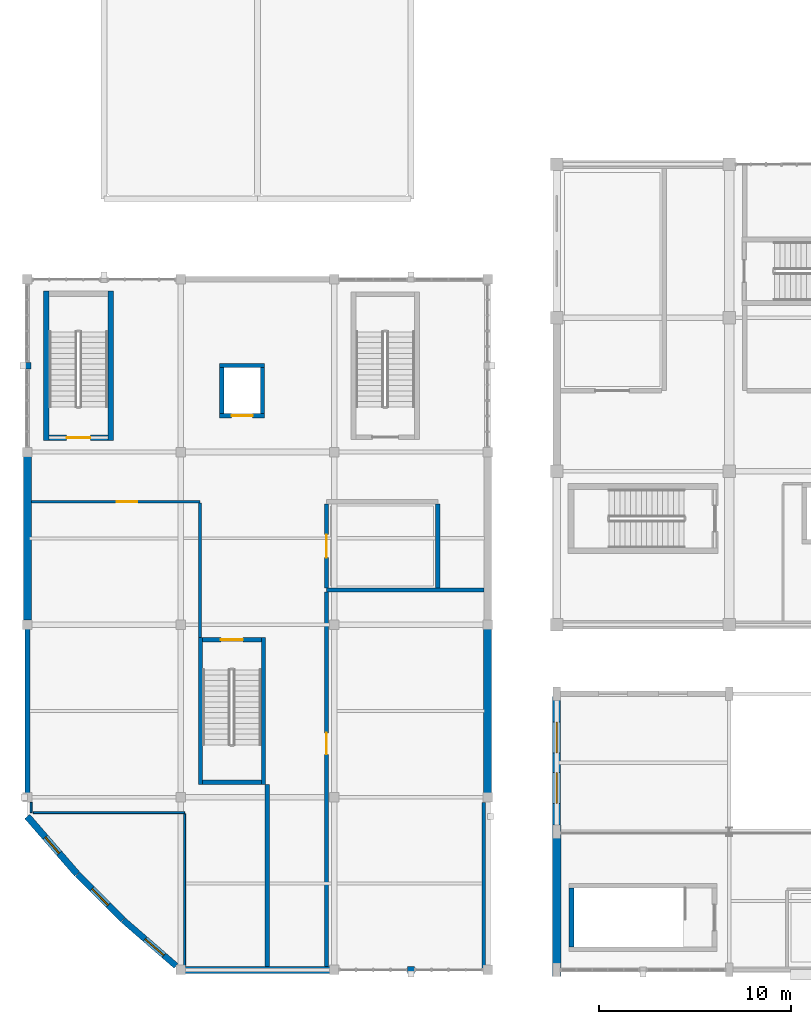
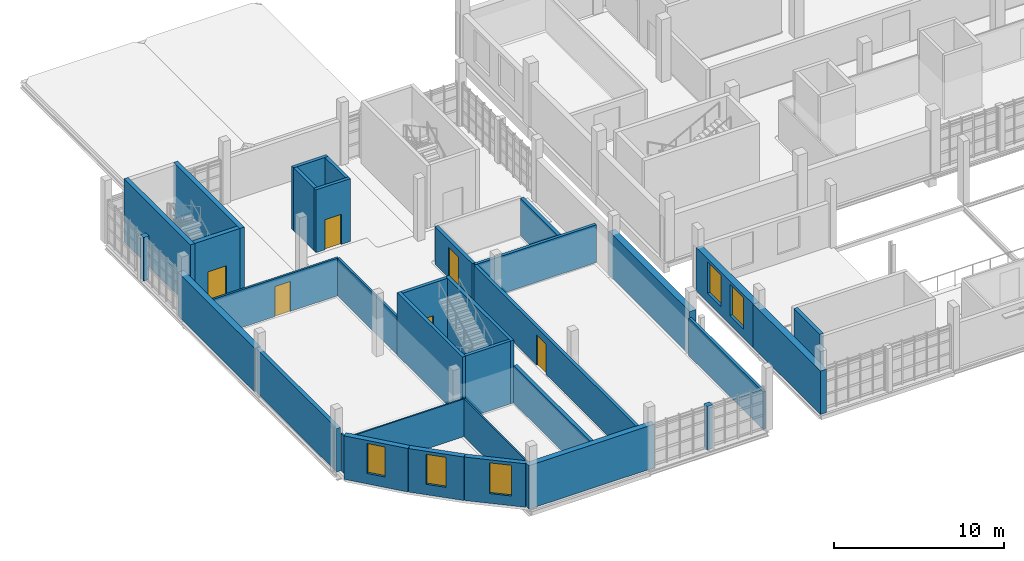
# One storey, part 102 of 125: 34 walls, 6 doors, 5 windows, 11 openings.
"""IFC4 building model written with IfcOpenShell, lengths in metres."""

from ifc_helpers import new_model, si_unit, direction, frame, frame_2d, origin, place, context, subcontext, project, spatial, rectangle, extrude, material, layer, layer_set, type_object, element, fill, save


model = new_model("IFC4")

# Units and contexts
model_context = context("Model", 3, precision=1e-05, world=origin(), true_north=direction((0.0, 1.0)))
body_context = subcontext(model_context, "Body", "Model", "MODEL_VIEW")
ifc_project = project(units=[si_unit("LENGTHUNIT", "METRE"), si_unit("AREAUNIT", "SQUARE_METRE"), si_unit("VOLUMEUNIT", "CUBIC_METRE"), si_unit("PLANEANGLEUNIT", "RADIAN"), si_unit("MASSUNIT", "GRAM", prefix="KILO")], contexts=[model_context])

# Site, building, storey
site_placement = place(None, origin())
site = spatial("IfcSite", under=ifc_project, at=site_placement, CompositionType="ELEMENT")
building_placement = place(site_placement, origin())
building = spatial("IfcBuilding", under=site, at=building_placement, Name="Serraforn Aerial Cableway Station", CompositionType="ELEMENT")
storey_placement = place(building_placement, frame((0.0, 0.0, 4.5)))
storey = spatial("IfcBuildingStorey", under=building, at=storey_placement, Name="L01", CompositionType="ELEMENT", Elevation=4.5)

# Wall, opening, door
ifc_material_1 = material(Name="Concrete C35/45", Category="concrete")
ifc_layer_1 = layer(ifc_material_1, 0.219970703125)
ifc_layer_set_1 = layer_set([ifc_layer_1], Name="Concrete C35/45")
wall_type_1 = type_object("IfcWallType", Name="WL-COR-220", PredefinedType="SHEAR", material=ifc_layer_set_1)
wall_1_placement = place(storey_placement, frame((9.139892578125, 17.2099609375, 0.0), z_axis=(0.0, 0.0, 1.0), x_axis=(1.0, 0.0, 0.0)))
wall_1 = element("IfcWall", 1, at=wall_1_placement, inside=storey, type_object=wall_type_1, Name="Stair Core Shear Wall WCOR-ST-12-L01-NEAR", PredefinedType="SHEAR", context=body_context, shape_type="SweptSolid", body=[
    extrude(rectangle(XDim=3.06005859375, YDim=0.219970703125, at=frame_2d((1.530029296875, 0.0))), origin(), (0.0, 0.0, 1.0), 4.5),
])
opening_1_placement = place(wall_1_placement, frame((0.955078125, 0.0, 0.0)))
opening_1 = element("IfcOpeningElement", 2, at=opening_1_placement, cuts=wall_1, Name="Opening D-S10", PredefinedType="OPENING", context=body_context, shape_type="SweptSolid", body=[
    extrude(rectangle(XDim=1.14990234375, YDim=2.14990234375, at=frame_2d((0.574951171875, 1.074951171875))), frame((0.0, 0.119873046875, 0.0), z_axis=(0.0, -1.0, 0.0), x_axis=(1.0, 0.0, 0.0)), (0.0, 0.0, 1.0), 0.239990234375),
])
ifc_material_2 = material(Name="Self-closing steel stair fire door", Category="steel")
door_type_1 = type_object("IfcDoorType", Name="DR-STAIR-115", OperationType="NOTDEFINED", PredefinedType="DOOR", material=ifc_material_2)
door_1_placement = place(opening_1_placement, origin())
door_1 = element("IfcDoor", 3, at=door_1_placement, inside=storey, type_object=door_type_1, Name="Protected Stair Door D-S10", OperationType="SINGLE_SWING_RIGHT", OverallHeight=2.14990234375, OverallWidth=1.14990234375, PredefinedType="DOOR", context=body_context, shape_type="SweptSolid", body=[
    extrude(rectangle(XDim=1.14990234375, YDim=2.14990234375, at=frame_2d((0.574951171875, 1.074951171875))), frame((0.0, 0.02490234375, 0.0), z_axis=(0.0, -1.0, 0.0), x_axis=(1.0, 0.0, 0.0)), (0.0, 0.0, 1.0), 0.050048828125),
])
fill(opening_1, door_1)

# Walls
wall_2_placement = place(storey_placement, frame((9.139892578125, 9.7900390625, 0.0), z_axis=(0.0, 0.0, 1.0), x_axis=(1.0, 0.0, 0.0)))
element("IfcWall", 4, at=wall_2_placement, inside=storey, type_object=wall_type_1, Name="Stair Core Shear Wall WCOR-ST-12-L01-FAR", PredefinedType="SHEAR", context=body_context, shape_type="SweptSolid", body=[
    extrude(rectangle(XDim=3.06005859375, YDim=0.219970703125, at=frame_2d((1.530029296875, 0.0))), origin(), (0.0, 0.0, 1.0), 4.5),
])
for number, where, z_axis, x_axis, name in (
    (5, (9.030029296875, 17.320068359375, 0.0), (0.0, 0.0, 1.0), (0.0, -1.0, 0.0), "Stair Core Shear Wall WCOR-ST-12-L01-L"),
    (6, (12.31005859375, 17.320068359375, 0.0), (0.0, 0.0, 1.0), (0.0, -1.0, 0.0), "Stair Core Shear Wall WCOR-ST-12-L01-R"),
):
    element("IfcWall", number, at=place(storey_placement, frame(where, z_axis=z_axis, x_axis=x_axis)), inside=storey, type_object=wall_type_1, Name=name, PredefinedType="SHEAR", context=body_context, shape_type="SweptSolid", body=[
        extrude(rectangle(XDim=7.64013671875, YDim=0.219970703125, at=frame_2d((3.820068359375, 0.0))), origin(), (0.0, 0.0, 1.0), 4.5),
    ])

# Wall, opening, door
wall_3_placement = place(storey_placement, frame((10.030029296875, 28.889892578125, 0.0), z_axis=(0.0, 0.0, 1.0), x_axis=(1.0, 0.0, 0.0)))
wall_3 = element("IfcWall", 7, at=wall_3_placement, inside=storey, type_object=wall_type_1, Name="Lift Shaft Shear Wall WLFT-LF-01-L01-S", PredefinedType="SHEAR", context=body_context, shape_type="SweptSolid", body=[
    extrude(rectangle(XDim=2.340087890625, YDim=0.219970703125, at=frame_2d((1.169921875, 0.0))), origin(), (0.0, 0.0, 1.0), 4.5),
])
opening_2_placement = place(wall_3_placement, frame((0.6201171875, 0.0, 0.0)))
opening_2 = element("IfcOpeningElement", 8, at=opening_2_placement, cuts=wall_3, Name="Opening LD-02", PredefinedType="OPENING", context=body_context, shape_type="SweptSolid", body=[
    extrude(rectangle(XDim=1.10009765625, YDim=2.14990234375, at=frame_2d((0.550048828125, 1.074951171875))), frame((0.0, 0.119873046875, 0.0), z_axis=(0.0, -1.0, 0.0), x_axis=(1.0, 0.0, 0.0)), (0.0, 0.0, 1.0), 0.239990234375),
])
ifc_material_3 = material(Name="Brushed stainless-steel sliding lift landing door", Category="steel")
door_type_2 = type_object("IfcDoorType", Name="DR-LIFT-110", OperationType="SLIDING_TO_LEFT", PredefinedType="DOOR", material=ifc_material_3)
door_2_placement = place(opening_2_placement, origin())
door_2 = element("IfcDoor", 9, at=door_2_placement, inside=storey, type_object=door_type_2, Name="Sliding Lift Landing Door LD-02 (LF-01 L01)", OperationType="SLIDING_TO_LEFT", OverallHeight=2.14990234375, OverallWidth=1.10009765625, PredefinedType="DOOR", context=body_context, shape_type="SweptSolid", body=[
    extrude(rectangle(XDim=1.10009765625, YDim=2.14990234375, at=frame_2d((0.550048828125, 1.074951171875))), frame((0.0, 0.02490234375, 0.0), z_axis=(0.0, -1.0, 0.0), x_axis=(1.0, 0.0, 0.0)), (0.0, 0.0, 1.0), 0.050048828125),
])
fill(opening_2, door_2)

# Walls
wall_4_placement = place(storey_placement, frame((10.030029296875, 31.510009765625, 0.0), z_axis=(0.0, 0.0, 1.0), x_axis=(1.0, 0.0, 0.0)))
element("IfcWall", 10, at=wall_4_placement, inside=storey, type_object=wall_type_1, Name="Lift Shaft Shear Wall WLFT-LF-01-L01-N", PredefinedType="SHEAR", context=body_context, shape_type="SweptSolid", body=[
    extrude(rectangle(XDim=2.340087890625, YDim=0.219970703125, at=frame_2d((1.169921875, 0.0))), origin(), (0.0, 0.0, 1.0), 4.5),
])
for number, where, z_axis, x_axis, name in (
    (11, (10.139892578125, 29.0, 0.0), (0.0, 0.0, 1.0), (0.0, 1.0, 0.0), "Lift Shaft Shear Wall WLFT-LF-01-L01-W"),
    (12, (12.260009765625, 29.0, 0.0), (0.0, 0.0, 1.0), (0.0, 1.0, 0.0), "Lift Shaft Shear Wall WLFT-LF-01-L01-E"),
):
    element("IfcWall", number, at=place(storey_placement, frame(where, z_axis=z_axis, x_axis=x_axis)), inside=storey, type_object=wall_type_1, Name=name, PredefinedType="SHEAR", context=body_context, shape_type="SweptSolid", body=[
        extrude(rectangle(XDim=2.39990234375, YDim=0.219970703125, at=frame_2d((1.199951171875, 0.0))), origin(), (0.0, 0.0, 1.0), 4.5),
    ])
ifc_layer_2 = layer(ifc_material_1, 0.25)
ifc_layer_set_2 = layer_set([ifc_layer_2], Name="Concrete C35/45")
wall_type_2 = type_object("IfcWallType", Name="WL-COR-250", PredefinedType="SHEAR", material=ifc_layer_set_2)
wall_5_placement = place(storey_placement, frame((28.375, 4.260009765625, 0.0), z_axis=(0.0, 0.0, 1.0), x_axis=(0.0, -1.0, 0.0)))
element("IfcWall", 13, at=wall_5_placement, inside=storey, type_object=wall_type_2, Name="Stair Core Shear Wall WCOR-ST-06-L01-FAR", PredefinedType="SHEAR", context=body_context, shape_type="SweptSolid", body=[
    extrude(rectangle(XDim=3.06005859375, YDim=0.25, at=frame_2d((1.530029296875, 0.0))), origin(), (0.0, 0.0, 1.0), 4.5),
])

# Wall, opening, door
ifc_layer_3 = layer(ifc_material_1, 0.300048828125)
ifc_layer_set_3 = layer_set([ifc_layer_3], Name="Concrete C35/45")
wall_type_3 = type_object("IfcWallType", Name="WL-COR-300", PredefinedType="SHEAR", material=ifc_layer_set_3)
wall_6_placement = place(storey_placement, frame((4.199951171875, 27.75, 0.0), z_axis=(0.0, 0.0, 1.0), x_axis=(-1.0, 0.0, 0.0)))
wall_6 = element("IfcWall", 14, at=wall_6_placement, inside=storey, type_object=wall_type_3, Name="Stair Core Shear Wall WCOR-ST-01-L01-NEAR", PredefinedType="SHEAR", context=body_context, shape_type="SweptSolid", body=[
    extrude(rectangle(XDim=3.06005859375, YDim=0.300048828125, at=frame_2d((1.530029296875, 0.0))), origin(), (0.0, 0.0, 1.0), 4.5),
])
opening_3_placement = place(wall_6_placement, frame((0.905029296875, 0.0, 0.0)))
opening_3 = element("IfcOpeningElement", 15, at=opening_3_placement, cuts=wall_6, Name="Opening D-S02", PredefinedType="OPENING", context=body_context, shape_type="SweptSolid", body=[
    extrude(rectangle(XDim=1.25, YDim=2.14990234375, at=frame_2d((0.625, 1.074951171875))), frame((0.0, 0.159912109375, 0.0), z_axis=(0.0, -1.0, 0.0), x_axis=(1.0, 0.0, 0.0)), (0.0, 0.0, 1.0), 0.320068359375),
])
door_type_3 = type_object("IfcDoorType", Name="DR-STAIR-125", OperationType="NOTDEFINED", PredefinedType="DOOR", material=ifc_material_2)
door_3_placement = place(opening_3_placement, origin())
door_3 = element("IfcDoor", 16, at=door_3_placement, inside=storey, type_object=door_type_3, Name="Protected Stair Door D-S02", OperationType="SINGLE_SWING_RIGHT", OverallHeight=2.14990234375, OverallWidth=1.25, PredefinedType="DOOR", context=body_context, shape_type="SweptSolid", body=[
    extrude(rectangle(XDim=1.25, YDim=2.14990234375, at=frame_2d((0.625, 1.074951171875))), frame((0.0, 0.02490234375, 0.0), z_axis=(0.0, -1.0, 0.0), x_axis=(1.0, 0.0, 0.0)), (0.0, 0.0, 1.0), 0.050048828125),
])
fill(opening_3, door_3)

# Walls
for number, where, z_axis, x_axis, name in (
    (17, (4.35009765625, 27.60009765625, 0.0), (0.0, 0.0, 1.0), (0.0, 1.0, 0.0), "Stair Core Shear Wall WCOR-ST-01-L01-L"),
    (18, (0.989990234375, 27.60009765625, 0.0), (0.0, 0.0, 1.0), (0.0, 1.0, 0.0), "Stair Core Shear Wall WCOR-ST-01-L01-R"),
):
    element("IfcWall", number, at=place(storey_placement, frame(where, z_axis=z_axis, x_axis=x_axis)), inside=storey, type_object=wall_type_3, Name=name, PredefinedType="SHEAR", context=body_context, shape_type="SweptSolid", body=[
        extrude(rectangle(XDim=7.7998046875, YDim=0.300048828125, at=frame_2d((3.89990234375, 0.0))), origin(), (0.0, 0.0, 1.0), 4.5),
    ])
ifc_material_4 = material(Name="Insulated stuccoed terracotta facade", Category="masonry")
ifc_layer_4 = layer(ifc_material_4, 0.260009765625)
ifc_layer_set_4 = layer_set([ifc_layer_4], Name="Insulated stuccoed terracotta facade")
wall_type_4 = type_object("IfcWallType", Name="WL-EXT-260", PredefinedType="SOLIDWALL", material=ifc_layer_set_4)
wall_7_placement = place(storey_placement, frame((0.0, 18.25, 0.0), z_axis=(0.0, 0.0, 1.0), x_axis=(0.0, -1.0, 0.0)))
element("IfcWall", 19, at=wall_7_placement, inside=storey, type_object=wall_type_4, Name="Exterior Wall WEXT-W-L01-W2", PredefinedType="SOLIDWALL", context=body_context, shape_type="SweptSolid", body=[
    extrude(rectangle(XDim=9.5, YDim=0.260009765625, at=frame_2d((4.75, 0.0))), origin(), (0.0, 0.0, 1.0), 3.1201171875),
])

# Wall, opening, window
ifc_material_5 = material(Name="Insulated fluted limestone rainscreen", Category="masonry")
ifc_layer_5 = layer(ifc_material_5, 0.320068359375)
ifc_layer_set_5 = layer_set([ifc_layer_5], Name="Insulated fluted limestone rainscreen")
wall_type_5 = type_object("IfcWallType", Name="WL-EXT-320", PredefinedType="SOLIDWALL", material=ifc_layer_set_5)
wall_8_placement = place(storey_placement, frame((5.0, 2.60009765625, 0.0), z_axis=(0.0, 0.0, 1.0), x_axis=(0.755667046855, -0.654955963633, 0.0)))
wall_8 = element("IfcWall", 20, at=wall_8_placement, inside=storey, type_object=wall_type_5, Name="Exterior Wall WEXT-W-L01-CH3", PredefinedType="SOLIDWALL", context=body_context, shape_type="SweptSolid", body=[
    extrude(rectangle(XDim=3.65576171875, YDim=0.320068359375, at=frame_2d((1.827880859375, 0.0))), origin(), (0.0, 0.0, 1.0), 3.1201171875),
])
opening_4_placement = place(wall_8_placement, frame((1.51123046875, 0.0, 0.699951171875)))
opening_4 = element("IfcOpeningElement", 21, at=opening_4_placement, cuts=wall_8, Name="Opening W-06", PredefinedType="OPENING", context=body_context, shape_type="SweptSolid", body=[
    extrude(rectangle(XDim=1.300048828125, YDim=2.199951171875, at=frame_2d((0.64990234375, 1.10009765625))), frame((0.0, 0.169921875, 0.0), z_axis=(0.0, -1.0, 0.0), x_axis=(1.0, 0.0, 0.0)), (0.0, 0.0, 1.0), 0.340087890625),
])
ifc_material_6 = material(Name="Anodised bronze aluminium and low-E double glazing", Category="aluminium")
window_type_1 = type_object("IfcWindowType", Name="WIN-ART-06", PartitioningType="SINGLE_PANEL", PredefinedType="WINDOW", material=ifc_material_6)
window_1_placement = place(opening_4_placement, origin())
window_1 = element("IfcWindow", 22, at=window_1_placement, inside=storey, type_object=window_type_1, Name="Art Deco Window WEXT-W-L01-CH3-W1", OverallHeight=2.199951171875, OverallWidth=1.300048828125, PartitioningType="SINGLE_PANEL", PredefinedType="WINDOW", context=body_context, shape_type="SweptSolid", body=[
    extrude(rectangle(XDim=1.300048828125, YDim=2.199951171875, at=frame_2d((0.64990234375, 1.10009765625))), frame((0.0, 0.030029296875, 0.0), z_axis=(0.0, -1.0, 0.0), x_axis=(1.0, 0.0, 0.0)), (0.0, 0.0, 1.0), 0.06005859375),
])
fill(opening_4, window_1)

ifc_layer_6 = layer(ifc_material_5, 0.3349609375)
ifc_layer_set_6 = layer_set([ifc_layer_6], Name="Insulated fluted limestone rainscreen")
wall_type_6 = type_object("IfcWallType", Name="WL-EXT-335", PredefinedType="SOLIDWALL", material=ifc_layer_set_6)
wall_9_placement = place(storey_placement, frame((2.609130859375, 4.99072265625, 0.0), z_axis=(0.0, 0.0, 1.0), x_axis=(0.707143017986, -0.70707054253, 0.0)))
wall_9 = element("IfcWall", 23, at=wall_9_placement, inside=storey, type_object=wall_type_6, Name="Exterior Wall WEXT-W-L01-CH2", PredefinedType="SOLIDWALL", context=body_context, shape_type="SweptSolid", body=[
    extrude(rectangle(XDim=3.36865234375, YDim=0.3349609375, at=frame_2d((1.684326171875, 0.0))), origin(), (0.0, 0.0, 1.0), 3.1201171875),
])
opening_5_placement = place(wall_9_placement, frame((1.083984375, 0.0, 0.75)))
opening_5 = element("IfcOpeningElement", 24, at=opening_5_placement, cuts=wall_9, Name="Opening W-05", PredefinedType="OPENING", context=body_context, shape_type="SweptSolid", body=[
    extrude(rectangle(XDim=1.199951171875, YDim=2.14990234375, at=frame_2d((0.60009765625, 1.074951171875))), frame((0.0, 0.177490234375, 0.0), z_axis=(0.0, -1.0, 0.0), x_axis=(1.0, 0.0, 0.0)), (0.0, 0.0, 1.0), 0.35498046875),
])
window_type_2 = type_object("IfcWindowType", Name="WIN-ART-05", PartitioningType="SINGLE_PANEL", PredefinedType="WINDOW", material=ifc_material_6)
window_2_placement = place(opening_5_placement, origin())
window_2 = element("IfcWindow", 25, at=window_2_placement, inside=storey, type_object=window_type_2, Name="Art Deco Window WEXT-W-L01-CH2-W1", OverallHeight=2.14990234375, OverallWidth=1.199951171875, PartitioningType="SINGLE_PANEL", PredefinedType="WINDOW", context=body_context, shape_type="SweptSolid", body=[
    extrude(rectangle(XDim=1.199951171875, YDim=2.14990234375, at=frame_2d((0.60009765625, 1.074951171875))), frame((0.0, 0.030029296875, 0.0), z_axis=(0.0, -1.0, 0.0), x_axis=(1.0, 0.0, 0.0)), (0.0, 0.0, 1.0), 0.06005859375),
])
fill(opening_5, window_2)

ifc_material_7 = material(Name="Montjuic sandstone ashlar masonry", Category="masonry")
ifc_layer_7 = layer(ifc_material_7, 0.35009765625)
ifc_layer_set_7 = layer_set([ifc_layer_7], Name="Montjuic sandstone ashlar masonry")
wall_type_7 = type_object("IfcWallType", Name="WL-EXT-350", PredefinedType="SOLIDWALL", material=ifc_layer_set_7)
wall_10_placement = place(storey_placement, frame((0.0, 8.0, 0.0), z_axis=(0.0, 0.0, 1.0), x_axis=(0.654944585876, -0.755676908098, 0.0)))
wall_10 = element("IfcWall", 26, at=wall_10_placement, inside=storey, type_object=wall_type_7, Name="Exterior Wall WEXT-W-L01-CH1", PredefinedType="SOLIDWALL", context=body_context, shape_type="SweptSolid", body=[
    extrude(rectangle(XDim=3.969970703125, YDim=0.35009765625, at=frame_2d((1.98486328125, 0.0))), origin(), (0.0, 0.0, 1.0), 3.1201171875),
])
opening_6_placement = place(wall_10_placement, frame((1.434814453125, 0.0, 0.75)))
opening_6 = element("IfcOpeningElement", 27, at=opening_6_placement, cuts=wall_10, Name="Opening W-04", PredefinedType="OPENING", context=body_context, shape_type="SweptSolid", body=[
    extrude(rectangle(XDim=1.10009765625, YDim=2.14990234375, at=frame_2d((0.550048828125, 1.074951171875))), frame((0.0, 0.18505859375, 0.0), z_axis=(0.0, -1.0, 0.0), x_axis=(1.0, 0.0, 0.0)), (0.0, 0.0, 1.0), 0.3701171875),
])
window_type_3 = type_object("IfcWindowType", Name="WIN-ART-04", PartitioningType="SINGLE_PANEL", PredefinedType="WINDOW", material=ifc_material_6)
window_3_placement = place(opening_6_placement, origin())
window_3 = element("IfcWindow", 28, at=window_3_placement, inside=storey, type_object=window_type_3, Name="Art Deco Window WEXT-W-L01-CH1-W1", OverallHeight=2.14990234375, OverallWidth=1.10009765625, PartitioningType="SINGLE_PANEL", PredefinedType="WINDOW", context=body_context, shape_type="SweptSolid", body=[
    extrude(rectangle(XDim=1.10009765625, YDim=2.14990234375, at=frame_2d((0.550048828125, 1.074951171875))), frame((0.0, 0.030029296875, 0.0), z_axis=(0.0, -1.0, 0.0), x_axis=(1.0, 0.0, 0.0)), (0.0, 0.0, 1.0), 0.06005859375),
])
fill(opening_6, window_3)

# Walls
ifc_layer_8 = layer(ifc_material_7, 0.364990234375)
ifc_layer_set_8 = layer_set([ifc_layer_8], Name="Montjuic sandstone ashlar masonry")
wall_type_8 = type_object("IfcWallType", Name="WL-EXT-365", PredefinedType="SOLIDWALL", material=ifc_layer_set_8)
wall_11_placement = place(storey_placement, frame((19.820068359375, 0.0, 0.0), z_axis=(0.0, 0.0, 1.0), x_axis=(1.0, 0.0, 0.0)))
element("IfcWall", 29, at=wall_11_placement, inside=storey, type_object=wall_type_8, Name="Exterior Wall WPIER-W-L01-S3", PredefinedType="SOLIDWALL", context=body_context, shape_type="SweptSolid", body=[
    extrude(rectangle(XDim=0.35986328125, YDim=0.364990234375, at=frame_2d((0.179931640625, 0.0))), origin(), (0.0, 0.0, 1.0), 3.1201171875),
])
ifc_layer_9 = layer(ifc_material_7, 0.3798828125)
ifc_layer_set_9 = layer_set([ifc_layer_9], Name="Montjuic sandstone ashlar masonry")
wall_type_9 = type_object("IfcWallType", Name="WL-EXT-380", PredefinedType="SOLIDWALL", material=ifc_layer_set_9)
wall_12_placement = place(storey_placement, frame((7.75, 0.0, 0.0), z_axis=(0.0, 0.0, 1.0), x_axis=(1.0, 0.0, 0.0)))
element("IfcWall", 30, at=wall_12_placement, inside=storey, type_object=wall_type_9, Name="Exterior Wall WEXT-W-L01-S2", PredefinedType="SOLIDWALL", context=body_context, shape_type="SweptSolid", body=[
    extrude(rectangle(XDim=8.5, YDim=0.3798828125, at=frame_2d((4.25, 0.0))), origin(), (0.0, 0.0, 1.0), 3.1201171875),
])
wall_13_placement = place(storey_placement, frame((0.0, 31.679931640625, 0.0), z_axis=(0.0, 0.0, 1.0), x_axis=(0.0, -1.0, 0.0)))
element("IfcWall", 31, at=wall_13_placement, inside=storey, type_object=wall_type_9, Name="Exterior Wall WPIER-W-L01-W4", PredefinedType="SOLIDWALL", context=body_context, shape_type="SweptSolid", body=[
    extrude(rectangle(XDim=0.35986328125, YDim=0.3798828125, at=frame_2d((0.179931640625, 0.0))), origin(), (0.0, 0.0, 1.0), 3.1201171875),
])
ifc_layer_10 = layer(ifc_material_7, 0.4150390625)
ifc_layer_set_10 = layer_set([ifc_layer_10], Name="Montjuic sandstone ashlar masonry")
wall_type_10 = type_object("IfcWallType", Name="WL-EXT-415", PredefinedType="SOLIDWALL", material=ifc_layer_set_10)
wall_14_placement = place(storey_placement, frame((0.0, 27.25, 0.0), z_axis=(0.0, 0.0, 1.0), x_axis=(0.0, -1.0, 0.0)))
element("IfcWall", 32, at=wall_14_placement, inside=storey, type_object=wall_type_10, Name="Exterior Wall WEXT-W-L01-W3", PredefinedType="SOLIDWALL", context=body_context, shape_type="SweptSolid", body=[
    extrude(rectangle(XDim=8.9990234375, YDim=0.4150390625, at=frame_2d((4.49951171875, 0.0))), origin(), (0.0, 0.0, 1.0), 3.1201171875),
])

# Wall, openings, windows
wall_15_placement = place(storey_placement, frame((27.60009765625, 14.24658203125, 0.0), z_axis=(0.0, 0.0, 1.0), x_axis=(0.0, -1.0, 0.0)))
wall_15 = element("IfcWall", 33, at=wall_15_placement, inside=storey, type_object=wall_type_10, Name="Exterior Wall WEXT-CF-L01-W2", PredefinedType="SOLIDWALL", context=body_context, shape_type="SweptSolid", body=[
    extrude(rectangle(XDim=6.695556640625, YDim=0.4150390625, at=frame_2d((3.34765625, 0.0))), origin(), (0.0, 0.0, 1.0), 3.1201171875),
])
opening_7_placement = place(wall_15_placement, frame((1.329833984375, 0.0, 0.64990234375)))
opening_7 = element("IfcOpeningElement", 34, at=opening_7_placement, cuts=wall_15, Name="Opening W-09", PredefinedType="OPENING", context=body_context, shape_type="SweptSolid", body=[
    extrude(rectangle(XDim=1.60009765625, YDim=2.25, at=frame_2d((0.800048828125, 1.125))), frame((0.0, 0.217529296875, 0.0), z_axis=(0.0, -1.0, 0.0), x_axis=(1.0, 0.0, 0.0)), (0.0, 0.0, 1.0), 0.43505859375),
])
opening_8_placement = place(wall_15_placement, frame((3.963134765625, 0.0, 0.64990234375)))
opening_8 = element("IfcOpeningElement", 35, at=opening_8_placement, cuts=wall_15, Name="Opening W-09", PredefinedType="OPENING", context=body_context, shape_type="SweptSolid", body=[
    extrude(rectangle(XDim=1.60009765625, YDim=2.25, at=frame_2d((0.800048828125, 1.125))), frame((0.0, 0.217529296875, 0.0), z_axis=(0.0, -1.0, 0.0), x_axis=(1.0, 0.0, 0.0)), (0.0, 0.0, 1.0), 0.43505859375),
])
window_type_4 = type_object("IfcWindowType", Name="WIN-ART-09", PartitioningType="SINGLE_PANEL", PredefinedType="WINDOW", material=ifc_material_6)
window_4_placement = place(opening_7_placement, origin())
window_4 = element("IfcWindow", 36, at=window_4_placement, inside=storey, type_object=window_type_4, Name="Art Deco Window WEXT-CF-L01-W2-W1", OverallHeight=2.25, OverallWidth=1.60009765625, PartitioningType="SINGLE_PANEL", PredefinedType="WINDOW", context=body_context, shape_type="SweptSolid", body=[
    extrude(rectangle(XDim=1.60009765625, YDim=2.25, at=frame_2d((0.800048828125, 1.125))), frame((0.0, 0.030029296875, 0.0), z_axis=(0.0, -1.0, 0.0), x_axis=(1.0, 0.0, 0.0)), (0.0, 0.0, 1.0), 0.06005859375),
])
fill(opening_7, window_4)
window_5_placement = place(opening_8_placement, origin())
window_5 = element("IfcWindow", 37, at=window_5_placement, inside=storey, type_object=window_type_4, Name="Art Deco Window WEXT-CF-L01-W2-W2", OverallHeight=2.25, OverallWidth=1.60009765625, PartitioningType="SINGLE_PANEL", PredefinedType="WINDOW", context=body_context, shape_type="SweptSolid", body=[
    extrude(rectangle(XDim=1.60009765625, YDim=2.25, at=frame_2d((0.800048828125, 1.125))), frame((0.0, 0.030029296875, 0.0), z_axis=(0.0, -1.0, 0.0), x_axis=(1.0, 0.0, 0.0)), (0.0, 0.0, 1.0), 0.06005859375),
])
fill(opening_8, window_5)

# Walls
ifc_layer_11 = layer(ifc_material_7, 0.429931640625)
ifc_layer_set_11 = layer_set([ifc_layer_11], Name="Montjuic sandstone ashlar masonry")
wall_type_11 = type_object("IfcWallType", Name="WL-EXT-430", PredefinedType="SOLIDWALL", material=ifc_layer_set_11)
wall_16_placement = place(storey_placement, frame((24.0, 8.75, 0.0), z_axis=(0.0, 0.0, 1.0), x_axis=(0.0, 1.0, 0.0)))
element("IfcWall", 38, at=wall_16_placement, inside=storey, type_object=wall_type_11, Name="Exterior Wall WEXT-W-L01-E2", PredefinedType="SOLIDWALL", context=body_context, shape_type="SweptSolid", body=[
    extrude(rectangle(XDim=9.5, YDim=0.429931640625, at=frame_2d((4.75, 0.0))), origin(), (0.0, 0.0, 1.0), 3.1201171875),
])
wall_17_placement = place(storey_placement, frame((27.60009765625, 7.550048828125, 0.0), z_axis=(0.0, 0.0, 1.0), x_axis=(0.0, -1.0, 0.0)))
element("IfcWall", 39, at=wall_17_placement, inside=storey, type_object=wall_type_11, Name="Exterior Wall WEXT-CF-L01-W1", PredefinedType="SOLIDWALL", context=body_context, shape_type="SweptSolid", body=[
    extrude(rectangle(XDim=7.900146484375, YDim=0.429931640625, at=frame_2d((3.9501953125, 0.0))), origin(), (0.0, 0.0, 1.0), 3.1201171875),
])

# Wall, opening, door
ifc_material_8 = material(Name="Sanitary service chase partition")
ifc_layer_12 = layer(ifc_material_8, 0.22802734375)
ifc_layer_set_12 = layer_set([ifc_layer_12], Name="Sanitary service chase partition")
wall_type_12 = type_object("IfcWallType", Name="WL-PLM-228", PredefinedType="PLUMBINGWALL", material=ifc_layer_set_12)
wall_18_placement = place(storey_placement, frame((15.60009765625, 19.90087890625, 0.0), z_axis=(0.0, 0.0, 1.0), x_axis=(0.0, 1.0, 0.0)))
wall_18 = element("IfcWall", 40, at=wall_18_placement, inside=storey, type_object=wall_type_12, Name="Interior Partition WPRT-L01-03-104", PredefinedType="PLUMBINGWALL", context=body_context, shape_type="SweptSolid", body=[
    extrude(rectangle(XDim=4.384033203125, YDim=0.22802734375, at=frame_2d((2.19189453125, 0.0))), origin(), (0.0, 0.0, 1.0), 2.699951171875),
])
opening_9_placement = place(wall_18_placement, frame((1.59912109375, 0.0, 0.0)))
opening_9 = element("IfcOpeningElement", 41, at=opening_9_placement, cuts=wall_18, Name="Opening DI-033", PredefinedType="OPENING", context=body_context, shape_type="SweptSolid", body=[
    extrude(rectangle(XDim=1.199951171875, YDim=2.179931640625, at=frame_2d((0.60009765625, 1.08984375))), frame((0.0, 0.1240234375, 0.0), z_axis=(0.0, -1.0, 0.0), x_axis=(1.0, 0.0, 0.0)), (0.0, 0.0, 1.0), 0.248046875),
])
ifc_material_9 = material(Name="Fire-rated steel-core acoustic leaf", Category="steel")
door_type_4 = type_object("IfcDoorType", Name="DR-INT-120", OperationType="NOTDEFINED", PredefinedType="DOOR", material=ifc_material_9)
door_4_placement = place(opening_9_placement, origin())
door_4 = element("IfcDoor", 42, at=door_4_placement, inside=storey, type_object=door_type_4, Name="Room Door DI-033 (L01-03)", OperationType="SINGLE_SWING_RIGHT", OverallHeight=2.179931640625, OverallWidth=1.199951171875, PredefinedType="DOOR", context=body_context, shape_type="SweptSolid", body=[
    extrude(rectangle(XDim=1.199951171875, YDim=2.179931640625, at=frame_2d((0.60009765625, 1.08984375))), frame((0.0, 0.02490234375, 0.0), z_axis=(0.0, -1.0, 0.0), x_axis=(1.0, 0.0, 0.0)), (0.0, 0.0, 1.0), 0.050048828125),
])
fill(opening_9, door_4)

# Walls
wall_19_placement = place(storey_placement, frame((21.39990234375, 24.284912109375, 0.0), z_axis=(0.0, 0.0, 1.0), x_axis=(0.0, -1.0, 0.0)))
element("IfcWall", 43, at=wall_19_placement, inside=storey, type_object=wall_type_12, Name="Interior Partition WPRT-L01-03-106", PredefinedType="PLUMBINGWALL", context=body_context, shape_type="SweptSolid", body=[
    extrude(rectangle(XDim=4.384033203125, YDim=0.22802734375, at=frame_2d((2.19189453125, 0.0))), origin(), (0.0, 0.0, 1.0), 2.699951171875),
])
ifc_material_10 = material(Name="Glazed acoustic timber-framed partition", Category="wood")
ifc_layer_13 = layer(ifc_material_10, 0.092041015625)
ifc_layer_set_13 = layer_set([ifc_layer_13], Name="Glazed acoustic timber-framed partition")
wall_type_13 = type_object("IfcWallType", Name="WL-PRT-092", PredefinedType="PARTITIONING", material=ifc_layer_set_13)
wall_20_placement = place(storey_placement, frame((0.199951171875, 8.199951171875, 0.0), z_axis=(0.0, 0.0, 1.0), x_axis=(0.0, 1.0, 0.0)))
element("IfcWall", 44, at=wall_20_placement, inside=storey, type_object=wall_type_13, Name="Interior Partition WPRT-L01-01-97", PredefinedType="PARTITIONING", context=body_context, shape_type="SweptSolid", body=[
    extrude(rectangle(XDim=0.530029296875, YDim=0.092041015625, at=frame_2d((0.26513671875, 0.0))), origin(), (0.0, 0.0, 1.0), 2.699951171875),
])
ifc_layer_14 = layer(ifc_material_10, 0.097900390625)
ifc_layer_set_14 = layer_set([ifc_layer_14], Name="Glazed acoustic timber-framed partition")
wall_type_14 = type_object("IfcWallType", Name="WL-PRT-098", PredefinedType="PARTITIONING", material=ifc_layer_set_14)
wall_21_placement = place(storey_placement, frame((8.199951171875, 8.199951171875, 0.0), z_axis=(0.0, 0.0, 1.0), x_axis=(-1.0, 0.0, 0.0)))
element("IfcWall", 45, at=wall_21_placement, inside=storey, type_object=wall_type_14, Name="Interior Partition WPRT-L01-01-96", PredefinedType="PARTITIONING", context=body_context, shape_type="SweptSolid", body=[
    extrude(rectangle(XDim=7.8779296875, YDim=0.097900390625, at=frame_2d((3.93896484375, 0.0))), origin(), (0.0, 0.0, 1.0), 2.699951171875),
])
ifc_layer_15 = layer(ifc_material_10, 0.10205078125)
ifc_layer_set_15 = layer_set([ifc_layer_15], Name="Glazed acoustic timber-framed partition")
wall_type_15 = type_object("IfcWallType", Name="WL-PRT-102", PredefinedType="PARTITIONING", material=ifc_layer_set_15)
wall_22_placement = place(storey_placement, frame((8.199951171875, 0.19091796875, 0.0), z_axis=(0.0, 0.0, 1.0), x_axis=(0.0, 1.0, 0.0)))
element("IfcWall", 46, at=wall_22_placement, inside=storey, type_object=wall_type_15, Name="Interior Partition WPRT-L01-01-95", PredefinedType="PARTITIONING", context=body_context, shape_type="SweptSolid", body=[
    extrude(rectangle(XDim=7.958984375, YDim=0.10205078125, at=frame_2d((3.9794921875, 0.0))), origin(), (0.0, 0.0, 1.0), 2.699951171875),
])

# Wall, opening, door
ifc_material_11 = material(Name="Acoustic twin-stud gypsum partition")
ifc_layer_16 = layer(ifc_material_11, 0.135009765625)
ifc_layer_set_16 = layer_set([ifc_layer_16], Name="Acoustic twin-stud gypsum partition")
wall_type_16 = type_object("IfcWallType", Name="WL-PRT-135", PredefinedType="PARTITIONING", material=ifc_layer_set_16)
wall_23_placement = place(storey_placement, frame((0.20849609375, 24.39990234375, 0.0), z_axis=(0.0, 0.0, 1.0), x_axis=(1.0, 0.0, 0.0)))
wall_23 = element("IfcWall", 47, at=wall_23_placement, inside=storey, type_object=wall_type_16, Name="Interior Partition WPRT-L01-01-98", PredefinedType="PARTITIONING", context=body_context, shape_type="SweptSolid", body=[
    extrude(rectangle(XDim=8.79150390625, YDim=0.135009765625, at=frame_2d((4.395751953125, 0.0))), origin(), (0.0, 0.0, 1.0), 2.699951171875),
])
opening_10_placement = place(wall_23_placement, frame((4.466552734375, 0.0, 0.0)))
opening_10 = element("IfcOpeningElement", 48, at=opening_10_placement, cuts=wall_23, Name="Opening DI-031", PredefinedType="OPENING", context=body_context, shape_type="SweptSolid", body=[
    extrude(rectangle(XDim=1.050048828125, YDim=2.14990234375, at=frame_2d((0.52490234375, 1.074951171875))), frame((0.0, 0.077392578125, 0.0), z_axis=(0.0, -1.0, 0.0), x_axis=(1.0, 0.0, 0.0)), (0.0, 0.0, 1.0), 0.155029296875),
])
ifc_material_12 = material(Name="Fire-rated oak veneer leaf")
door_type_5 = type_object("IfcDoorType", Name="DR-INT-105", OperationType="NOTDEFINED", PredefinedType="DOOR", material=ifc_material_12)
door_5_placement = place(opening_10_placement, origin())
door_5 = element("IfcDoor", 49, at=door_5_placement, inside=storey, type_object=door_type_5, Name="Room Door DI-031 (L01-01)", OperationType="SINGLE_SWING_RIGHT", OverallHeight=2.14990234375, OverallWidth=1.050048828125, PredefinedType="DOOR", context=body_context, shape_type="SweptSolid", body=[
    extrude(rectangle(XDim=1.050048828125, YDim=2.14990234375, at=frame_2d((0.52490234375, 1.074951171875))), frame((0.0, 0.02490234375, 0.0), z_axis=(0.0, -1.0, 0.0), x_axis=(1.0, 0.0, 0.0)), (0.0, 0.0, 1.0), 0.050048828125),
])
fill(opening_10, door_5)

# Walls
ifc_layer_17 = layer(ifc_material_11, 0.14501953125)
ifc_layer_set_17 = layer_set([ifc_layer_17], Name="Acoustic twin-stud gypsum partition")
wall_type_17 = type_object("IfcWallType", Name="WL-PRT-145", PredefinedType="PARTITIONING", material=ifc_layer_set_17)
wall_24_placement = place(storey_placement, frame((9.0, 24.33154296875, 0.0), z_axis=(0.0, 0.0, 1.0), x_axis=(0.0, -1.0, 0.0)))
element("IfcWall", 50, at=wall_24_placement, inside=storey, type_object=wall_type_17, Name="Interior Partition WPRT-L01-01-99", PredefinedType="PARTITIONING", context=body_context, shape_type="SweptSolid", body=[
    extrude(rectangle(XDim=7.010498046875, YDim=0.14501953125, at=frame_2d((3.50537109375, 0.0))), origin(), (0.0, 0.0, 1.0), 2.699951171875),
])
ifc_material_13 = material(Name="Acoustic masonry blockwork", Category="masonry")
ifc_layer_18 = layer(ifc_material_13, 0.18994140625)
ifc_layer_set_18 = layer_set([ifc_layer_18], Name="Acoustic masonry blockwork")
wall_type_18 = type_object("IfcWallType", Name="WL-PRT-190", PredefinedType="PARTITIONING", material=ifc_layer_set_18)
wall_25_placement = place(storey_placement, frame((23.800048828125, 8.72998046875, 0.0), z_axis=(0.0, 0.0, 1.0), x_axis=(0.0, -1.0, 0.0)))
element("IfcWall", 51, at=wall_25_placement, inside=storey, type_object=wall_type_18, Name="Interior Partition WPRT-L01-02-103", PredefinedType="PARTITIONING", context=body_context, shape_type="SweptSolid", body=[
    extrude(rectangle(XDim=8.72998046875, YDim=0.18994140625, at=frame_2d((4.364990234375, 0.0))), origin(), (0.0, 0.0, 1.0), 2.699951171875),
])
ifc_layer_19 = layer(ifc_material_13, 0.199951171875)
ifc_layer_set_19 = layer_set([ifc_layer_19], Name="Acoustic masonry blockwork")
wall_type_19 = type_object("IfcWallType", Name="WL-PRT-200", PredefinedType="PARTITIONING", material=ifc_layer_set_19)
wall_26_placement = place(storey_placement, frame((15.60009765625, 19.800048828125, 0.0), z_axis=(0.0, 0.0, 1.0), x_axis=(1.0, 0.0, 0.0)))
element("IfcWall", 52, at=wall_26_placement, inside=storey, type_object=wall_type_19, Name="Interior Partition WPRT-L01-02-102", PredefinedType="PARTITIONING", context=body_context, shape_type="SweptSolid", body=[
    extrude(rectangle(XDim=8.198974609375, YDim=0.199951171875, at=frame_2d((4.099609375, 0.0))), origin(), (0.0, 0.0, 1.0), 2.699951171875),
])

# Wall, opening, door
ifc_layer_20 = layer(ifc_material_13, 0.2099609375)
ifc_layer_set_20 = layer_set([ifc_layer_20], Name="Acoustic masonry blockwork")
wall_type_20 = type_object("IfcWallType", Name="WL-PRT-210", PredefinedType="PARTITIONING", material=ifc_layer_set_20)
wall_27_placement = place(storey_placement, frame((15.60009765625, 0.19091796875, 0.0), z_axis=(0.0, 0.0, 1.0), x_axis=(0.0, 1.0, 0.0)))
wall_27 = element("IfcWall", 53, at=wall_27_placement, inside=storey, type_object=wall_type_20, Name="Interior Partition WPRT-L01-02-101", PredefinedType="PARTITIONING", context=body_context, shape_type="SweptSolid", body=[
    extrude(rectangle(XDim=19.508056640625, YDim=0.2099609375, at=frame_2d((9.75390625, 0.0))), origin(), (0.0, 0.0, 1.0), 2.699951171875),
])
opening_11_placement = place(wall_27_placement, frame((11.049072265625, 0.0, 0.0)))
opening_11 = element("IfcOpeningElement", 54, at=opening_11_placement, cuts=wall_27, Name="Opening DI-032", PredefinedType="OPENING", context=body_context, shape_type="SweptSolid", body=[
    extrude(rectangle(XDim=1.1201171875, YDim=2.179931640625, at=frame_2d((0.56005859375, 1.08984375))), frame((0.0, 0.114990234375, 0.0), z_axis=(0.0, -1.0, 0.0), x_axis=(1.0, 0.0, 0.0)), (0.0, 0.0, 1.0), 0.22998046875),
])
door_type_6 = type_object("IfcDoorType", Name="DR-INT-112", OperationType="NOTDEFINED", PredefinedType="DOOR", material=ifc_material_9)
door_6_placement = place(opening_11_placement, origin())
door_6 = element("IfcDoor", 55, at=door_6_placement, inside=storey, type_object=door_type_6, Name="Room Door DI-032 (L01-02)", OperationType="SINGLE_SWING_LEFT", OverallHeight=2.179931640625, OverallWidth=1.1201171875, PredefinedType="DOOR", context=body_context, shape_type="SweptSolid", body=[
    extrude(rectangle(XDim=1.1201171875, YDim=2.179931640625, at=frame_2d((0.56005859375, 1.08984375))), frame((0.0, 0.02490234375, 0.0), z_axis=(0.0, -1.0, 0.0), x_axis=(1.0, 0.0, 0.0)), (0.0, 0.0, 1.0), 0.050048828125),
])
fill(opening_11, door_6)

# Wall
ifc_layer_21 = layer(ifc_material_13, 0.235107421875)
ifc_layer_set_21 = layer_set([ifc_layer_21], Name="Acoustic masonry blockwork")
wall_type_21 = type_object("IfcWallType", Name="WL-PRT-235", PredefinedType="PARTITIONING", material=ifc_layer_set_21)
wall_28_placement = place(storey_placement, frame((12.5, 9.659912109375, 0.0), z_axis=(0.0, 0.0, 1.0), x_axis=(0.0, -1.0, 0.0)))
element("IfcWall", 56, at=wall_28_placement, inside=storey, type_object=wall_type_21, Name="Interior Partition WPRT-L01-01-100", PredefinedType="PARTITIONING", context=body_context, shape_type="SweptSolid", body=[
    extrude(rectangle(XDim=9.468994140625, YDim=0.235107421875, at=frame_2d((4.734375, 0.0))), origin(), (0.0, 0.0, 1.0), 2.699951171875),
])

save(model, "model.ifc")
